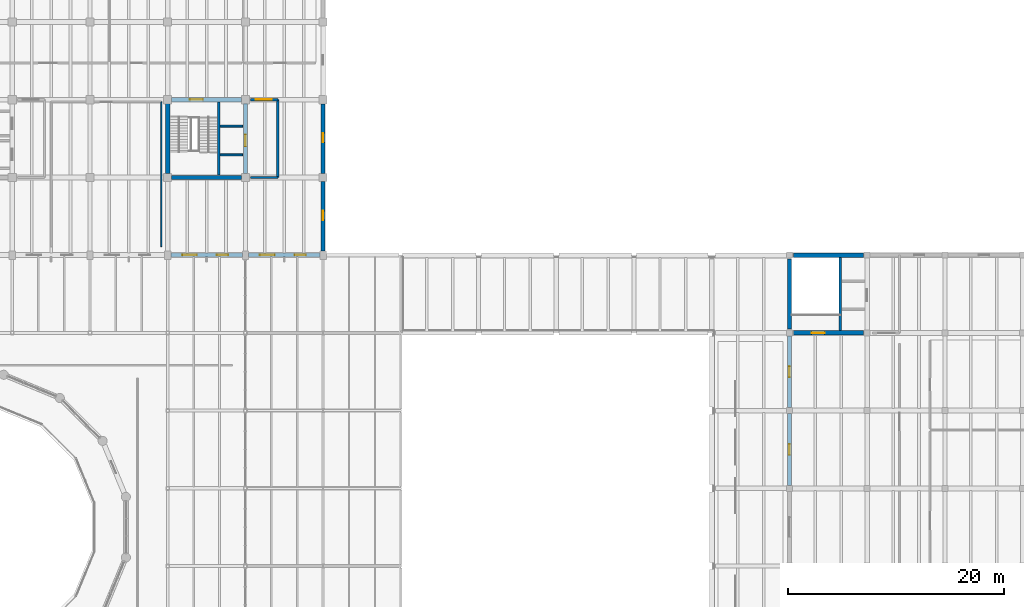
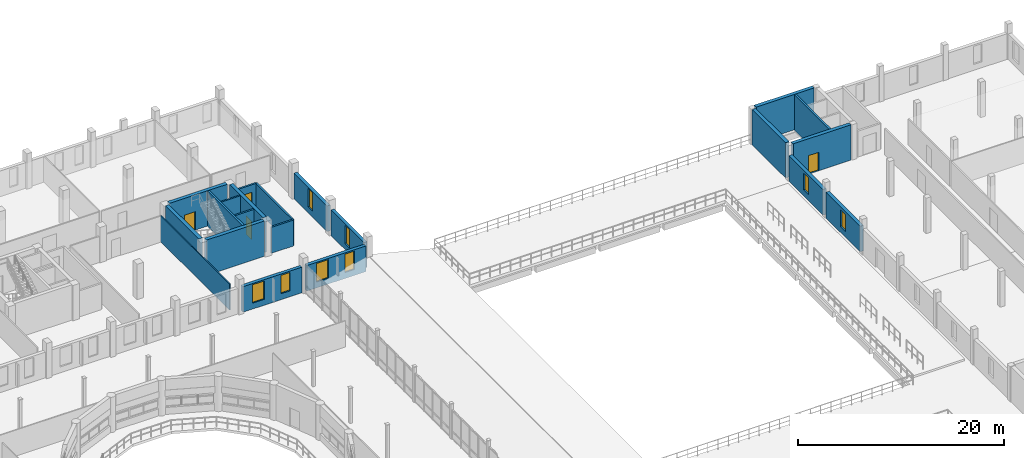
# One storey, part 54 of 63: 21 walls, 8 windows, 4 doors, 12 openings.
"""IFC4 building model written with IfcOpenShell, lengths in metres."""

from ifc_helpers import new_model, si_unit, direction, frame, frame_2d, origin, place, context, subcontext, project, spatial, rectangle, extrude, material, layer, layer_set, type_object, element, fill, save


model = new_model("IFC4")

# Units and contexts
model_context = context("Model", 3, precision=1e-05, world=origin(), true_north=direction((0.0, 1.0)))
body_context = subcontext(model_context, "Body", "Model", "MODEL_VIEW")
ifc_project = project(units=[si_unit("LENGTHUNIT", "METRE"), si_unit("AREAUNIT", "SQUARE_METRE"), si_unit("VOLUMEUNIT", "CUBIC_METRE"), si_unit("PLANEANGLEUNIT", "RADIAN"), si_unit("MASSUNIT", "GRAM", prefix="KILO")], contexts=[model_context])

# Site, building, storey
site_placement = place(None, origin())
site = spatial("IfcSite", under=ifc_project, at=site_placement, CompositionType="ELEMENT")
building_placement = place(site_placement, origin())
building = spatial("IfcBuilding", under=site, at=building_placement, Name="Qiaolan Assembly House", CompositionType="ELEMENT")
storey_placement = place(building_placement, frame((0.0, 0.0, 14.39990234375)))
storey = spatial("IfcBuildingStorey", under=building, at=storey_placement, Name="L03", CompositionType="ELEMENT", Elevation=14.39990234375)

# Wall
ifc_material_1 = material(Name="Concrete C45/55", Category="concrete")
ifc_layer_1 = layer(ifc_material_1, 0.39990234375)
ifc_layer_set_1 = layer_set([ifc_layer_1], Name="Concrete C45/55")
wall_type_1 = type_object("IfcWallType", Name="WAL-CORE-400", PredefinedType="SHEAR", material=ifc_layer_set_1)
wall_1_placement = place(storey_placement, frame((86.75, 93.60009765625, 0.0), z_axis=(0.0, 0.0, 1.0), x_axis=(1.0, 0.0, 0.0)))
element("IfcWall", 1, at=wall_1_placement, inside=storey, type_object=wall_type_1, Name="CW-400 shear core wall CORE-G S L03", PredefinedType="SHEAR", context=body_context, shape_type="SweptSolid", body=[
    extrude(rectangle(XDim=6.5, YDim=0.39990234375, at=frame_2d((3.25, 0.0))), origin(), (0.0, 0.0, 1.0), 4.2001953125),
])

# Wall, opening, door
wall_2_placement = place(storey_placement, frame((93.60009765625, 93.949951171875, 0.0), z_axis=(0.0, 0.0, 1.0), x_axis=(0.0, 1.0, 0.0)))
wall_2 = element("IfcWall", 2, at=wall_2_placement, inside=storey, type_object=wall_type_1, Name="CW-400 shear core wall CORE-G E L03", PredefinedType="SHEAR", context=body_context, shape_type="SweptSolid", body=[
    extrude(rectangle(XDim=6.5, YDim=0.39990234375, at=frame_2d((3.25, 0.0))), origin(), (0.0, 0.0, 1.0), 4.2001953125),
])
opening_1_placement = place(wall_2_placement, frame((2.52490234375, 0.0, 0.0)))
opening_1 = element("IfcOpeningElement", 3, at=opening_1_placement, cuts=wall_2, Name="Opening LD-041", PredefinedType="OPENING", context=body_context, shape_type="SweptSolid", body=[
    extrude(rectangle(XDim=1.10009765625, YDim=2.199951171875, at=frame_2d((0.550048828125, 1.10009765625))), frame((0.0, 0.2099609375, 0.0), z_axis=(0.0, -1.0, 0.0), x_axis=(1.0, 0.0, 0.0)), (0.0, 0.0, 1.0), 0.419921875),
])
ifc_material_2 = material(Name="Anodised bronze aluminium", Category="aluminium")
door_type_1 = type_object("IfcDoorType", Name="DOR-LIFT-LD1100", OperationType="SLIDING_TO_LEFT", PredefinedType="DOOR", material=ifc_material_2)
door_1_placement = place(opening_1_placement, origin())
door_1 = element("IfcDoor", 4, at=door_1_placement, inside=storey, type_object=door_type_1, Name="Lift landing door LD-041 (LF-05 L03)", OperationType="SLIDING_TO_LEFT", OverallHeight=2.199951171875, OverallWidth=1.10009765625, PredefinedType="DOOR", context=body_context, shape_type="SweptSolid", body=[
    extrude(rectangle(XDim=1.10009765625, YDim=2.199951171875, at=frame_2d((0.550048828125, 1.10009765625))), frame((0.0, 0.02490234375, 0.0), z_axis=(0.0, -1.0, 0.0), x_axis=(1.0, 0.0, 0.0)), (0.0, 0.0, 1.0), 0.050048828125),
])
fill(opening_1, door_1)

wall_3_placement = place(storey_placement, frame((93.25, 100.800048828125, 0.0), z_axis=(0.0, 0.0, 1.0), x_axis=(-1.0, 0.0, 0.0)))
wall_3 = element("IfcWall", 5, at=wall_3_placement, inside=storey, type_object=wall_type_1, Name="CW-400 shear core wall CORE-G N L03", PredefinedType="SHEAR", context=body_context, shape_type="SweptSolid", body=[
    extrude(rectangle(XDim=6.5, YDim=0.39990234375, at=frame_2d((3.25, 0.0))), origin(), (0.0, 0.0, 1.0), 4.2001953125),
])
opening_2_placement = place(wall_3_placement, frame((3.60009765625, 0.0, 0.0)))
opening_2 = element("IfcOpeningElement", 6, at=opening_2_placement, cuts=wall_3, Name="Opening FD-061", PredefinedType="OPENING", context=body_context, shape_type="SweptSolid", body=[
    extrude(rectangle(XDim=1.199951171875, YDim=2.199951171875, at=frame_2d((0.60009765625, 1.10009765625))), frame((0.0, 0.2099609375, 0.0), z_axis=(0.0, -1.0, 0.0), x_axis=(1.0, 0.0, 0.0)), (0.0, 0.0, 1.0), 0.419921875),
])
ifc_material_3 = material(Name="Steel Q355B", Category="steel")
door_type_2 = type_object("IfcDoorType", Name="DOR-FIRE-FD90-1200", OperationType="NOTDEFINED", PredefinedType="DOOR", material=ifc_material_3)
door_2_placement = place(opening_2_placement, frame((1.199951171875, 0.0, 0.0), z_axis=(0.0, 0.0, 1.0), x_axis=(-1.0, 0.0, 0.0)))
door_2 = element("IfcDoor", 7, at=door_2_placement, inside=storey, type_object=door_type_2, Name="Stairwell fire door FD-061 (CORE-G L03)", OperationType="SINGLE_SWING_RIGHT", OverallHeight=2.199951171875, OverallWidth=1.199951171875, PredefinedType="DOOR", context=body_context, shape_type="SweptSolid", body=[
    extrude(rectangle(XDim=1.199951171875, YDim=2.199951171875, at=frame_2d((0.60009765625, 1.10009765625))), frame((0.0, 0.02490234375, 0.0), z_axis=(0.0, -1.0, 0.0), x_axis=(1.0, 0.0, 0.0)), (0.0, 0.0, 1.0), 0.050048828125),
])
fill(opening_2, door_2)

# Wall
wall_4_placement = place(storey_placement, frame((86.39990234375, 100.449951171875, 0.0), z_axis=(0.0, 0.0, 1.0), x_axis=(0.0, -1.0, 0.0)))
element("IfcWall", 8, at=wall_4_placement, inside=storey, type_object=wall_type_1, Name="CW-400 shear core wall CORE-G W L03", PredefinedType="SHEAR", context=body_context, shape_type="SweptSolid", body=[
    extrude(rectangle(XDim=6.5, YDim=0.39990234375, at=frame_2d((3.25, 0.0))), origin(), (0.0, 0.0, 1.0), 4.2001953125),
])

# Wall, opening, door
wall_5_placement = place(storey_placement, frame((144.35009765625, 79.199951171875, 0.0), z_axis=(0.0, 0.0, 1.0), x_axis=(1.0, 0.0, 0.0)))
wall_5 = element("IfcWall", 9, at=wall_5_placement, inside=storey, type_object=wall_type_1, Name="CW-400 shear core wall CORE-F S L03", PredefinedType="SHEAR", context=body_context, shape_type="SweptSolid", body=[
    extrude(rectangle(XDim=6.5, YDim=0.39990234375, at=frame_2d((3.25, 0.0))), origin(), (0.0, 0.0, 1.0), 4.2001953125),
])
opening_3_placement = place(wall_5_placement, frame((1.699951171875, 0.0, 0.0)))
opening_3 = element("IfcOpeningElement", 10, at=opening_3_placement, cuts=wall_5, Name="Opening FD-133", PredefinedType="OPENING", context=body_context, shape_type="SweptSolid", body=[
    extrude(rectangle(XDim=1.199951171875, YDim=2.199951171875, at=frame_2d((0.60009765625, 1.10009765625))), frame((0.0, 0.2099609375, 0.0), z_axis=(0.0, -1.0, 0.0), x_axis=(1.0, 0.0, 0.0)), (0.0, 0.0, 1.0), 0.419921875),
])
door_3_placement = place(opening_3_placement, frame((1.199951171875, 0.0, 0.0), z_axis=(0.0, 0.0, 1.0), x_axis=(-1.0, 0.0, 0.0)))
door_3 = element("IfcDoor", 11, at=door_3_placement, inside=storey, type_object=door_type_2, Name="Stairwell fire door FD-133 (CORE-F L03)", OperationType="SINGLE_SWING_RIGHT", OverallHeight=2.199951171875, OverallWidth=1.199951171875, PredefinedType="DOOR", context=body_context, shape_type="SweptSolid", body=[
    extrude(rectangle(XDim=1.199951171875, YDim=2.199951171875, at=frame_2d((0.60009765625, 1.10009765625))), frame((0.0, 0.02490234375, 0.0), z_axis=(0.0, -1.0, 0.0), x_axis=(1.0, 0.0, 0.0)), (0.0, 0.0, 1.0), 0.050048828125),
])
fill(opening_3, door_3)

# Walls
for number, where, z_axis, x_axis, name in (
    (12, (150.85009765625, 86.39990234375, 0.0), (0.0, 0.0, 1.0), (-1.0, 0.0, 0.0), "CW-400 shear core wall CORE-F N L03"),
    (13, (144.0, 86.050048828125, 0.0), (0.0, 0.0, 1.0), (0.0, -1.0, 0.0), "CW-400 shear core wall CORE-F W L03"),
):
    element("IfcWall", number, at=place(storey_placement, frame(where, z_axis=z_axis, x_axis=x_axis)), inside=storey, type_object=wall_type_1, Name=name, PredefinedType="SHEAR", context=body_context, shape_type="SweptSolid", body=[
        extrude(rectangle(XDim=6.5, YDim=0.39990234375, at=frame_2d((3.25, 0.0))), origin(), (0.0, 0.0, 1.0), 4.2001953125),
    ])

# Wall, opening, window
ifc_material_4 = material(Name="Honed pale limestone", Category="masonry")
ifc_layer_2 = layer(ifc_material_4, 0.3798828125)
ifc_layer_set_2 = layer_set([ifc_layer_2], Name="Honed pale limestone")
wall_type_2 = type_object("IfcWallType", Name="WAL-EXT-LIB-380", PredefinedType="SOLIDWALL", material=ifc_layer_set_2)
wall_6_placement = place(storey_placement, frame((144.0, 65.072998046875, 0.0), z_axis=(0.0, 0.0, 1.0), x_axis=(0.0, 1.0, 0.0)))
wall_6 = element("IfcWall", 14, at=wall_6_placement, inside=storey, type_object=wall_type_2, Name="Library West court wall L03-6", PredefinedType="SOLIDWALL", context=body_context, shape_type="SweptSolid", body=[
    extrude(rectangle(XDim=6.654052734375, YDim=0.3798828125, at=frame_2d((3.3271484375, 0.0))), origin(), (0.0, 0.0, 1.0), 3.0400390625),
])
opening_4_placement = place(wall_6_placement, frame((2.826904296875, 0.0, 0.699951171875)))
opening_4 = element("IfcOpeningElement", 15, at=opening_4_placement, cuts=wall_6, Name="Opening WN-501", PredefinedType="OPENING", context=body_context, shape_type="SweptSolid", body=[
    extrude(rectangle(XDim=1.0, YDim=2.0, at=frame_2d((0.5, 1.0))), frame((0.0, 0.199951171875, 0.0), z_axis=(0.0, -1.0, 0.0), x_axis=(1.0, 0.0, 0.0)), (0.0, 0.0, 1.0), 0.39990234375),
])
ifc_material_5 = material(Name="Low-E double insulating glass", Category="glass")
window_type_1 = type_object("IfcWindowType", Name="WIN-LIB-ARCH-1000x2000", PartitioningType="SINGLE_PANEL", PredefinedType="WINDOW", material=ifc_material_5)
window_1_placement = place(opening_4_placement, origin())
window_1 = element("IfcWindow", 16, at=window_1_placement, inside=storey, type_object=window_type_1, Name="Library courtyard window WN-501", OverallHeight=2.0, OverallWidth=1.0, PartitioningType="SINGLE_PANEL", PredefinedType="WINDOW", context=body_context, shape_type="SweptSolid", body=[
    extrude(rectangle(XDim=1.0, YDim=2.0, at=frame_2d((0.5, 1.0))), frame((0.0, 0.030029296875, 0.0), z_axis=(0.0, -1.0, 0.0), x_axis=(1.0, 0.0, 0.0)), (0.0, 0.0, 1.0), 0.06005859375),
])
fill(opening_4, window_1)

wall_7_placement = place(storey_placement, frame((144.0, 72.27294921875, 0.0), z_axis=(0.0, 0.0, 1.0), x_axis=(0.0, 1.0, 0.0)))
wall_7 = element("IfcWall", 17, at=wall_7_placement, inside=storey, type_object=wall_type_2, Name="Library West court wall L03-7", PredefinedType="SOLIDWALL", context=body_context, shape_type="SweptSolid", body=[
    extrude(rectangle(XDim=6.654052734375, YDim=0.3798828125, at=frame_2d((3.3271484375, 0.0))), origin(), (0.0, 0.0, 1.0), 3.0400390625),
])
opening_5_placement = place(wall_7_placement, frame((2.826904296875, 0.0, 0.699951171875)))
opening_5 = element("IfcOpeningElement", 18, at=opening_5_placement, cuts=wall_7, Name="Opening WN-504", PredefinedType="OPENING", context=body_context, shape_type="SweptSolid", body=[
    extrude(rectangle(XDim=1.0, YDim=2.0, at=frame_2d((0.5, 1.0))), frame((0.0, 0.199951171875, 0.0), z_axis=(0.0, -1.0, 0.0), x_axis=(1.0, 0.0, 0.0)), (0.0, 0.0, 1.0), 0.39990234375),
])
window_2_placement = place(opening_5_placement, origin())
window_2 = element("IfcWindow", 19, at=window_2_placement, inside=storey, type_object=window_type_1, Name="Library courtyard window WN-504", OverallHeight=2.0, OverallWidth=1.0, PartitioningType="SINGLE_PANEL", PredefinedType="WINDOW", context=body_context, shape_type="SweptSolid", body=[
    extrude(rectangle(XDim=1.0, YDim=2.0, at=frame_2d((0.5, 1.0))), frame((0.0, 0.030029296875, 0.0), z_axis=(0.0, -1.0, 0.0), x_axis=(1.0, 0.0, 0.0)), (0.0, 0.0, 1.0), 0.06005859375),
])
fill(opening_5, window_2)

# Wall, openings, windows
ifc_layer_3 = layer(ifc_material_4, 0.360107421875)
ifc_layer_set_3 = layer_set([ifc_layer_3], Name="Honed pale limestone")
wall_type_3 = type_object("IfcWallType", Name="WAL-EXT-LIMESTONE-360", PredefinedType="SOLIDWALL", material=ifc_layer_set_3)
wall_8_placement = place(storey_placement, frame((86.68798828125, 86.39990234375, 0.0), z_axis=(0.0, 0.0, 1.0), x_axis=(1.0, 0.0, 0.0)))
wall_8 = element("IfcWall", 20, at=wall_8_placement, inside=storey, type_object=wall_type_3, Name="EW-360 NW South court wall L03 bay 8", PredefinedType="SOLIDWALL", context=body_context, shape_type="SweptSolid", body=[
    extrude(rectangle(XDim=6.6240234375, YDim=0.360107421875, at=frame_2d((3.31201171875, 0.0))), origin(), (0.0, 0.0, 1.0), 3.0400390625),
])
opening_6_placement = place(wall_8_placement, frame((1.06201171875, 0.0, 0.699951171875)))
opening_6 = element("IfcOpeningElement", 21, at=opening_6_placement, cuts=wall_8, Name="Opening WN-100", PredefinedType="OPENING", context=body_context, shape_type="SweptSolid", body=[
    extrude(rectangle(XDim=1.35009765625, YDim=2.18994140625, at=frame_2d((0.675048828125, 1.094970703125))), frame((0.0, 0.18994140625, 0.0), z_axis=(0.0, -1.0, 0.0), x_axis=(1.0, 0.0, 0.0)), (0.0, 0.0, 1.0), 0.380126953125),
])
opening_7_placement = place(wall_8_placement, frame((4.261962890625, 0.0, 0.699951171875)))
opening_7 = element("IfcOpeningElement", 22, at=opening_7_placement, cuts=wall_8, Name="Opening WN-101", PredefinedType="OPENING", context=body_context, shape_type="SweptSolid", body=[
    extrude(rectangle(XDim=1.050048828125, YDim=2.18994140625, at=frame_2d((0.52490234375, 1.094970703125))), frame((0.0, 0.18994140625, 0.0), z_axis=(0.0, -1.0, 0.0), x_axis=(1.0, 0.0, 0.0)), (0.0, 0.0, 1.0), 0.380126953125),
])
window_type_2 = type_object("IfcWindowType", Name="WIN-COURT-1350x2400", PartitioningType="DOUBLE_PANEL_VERTICAL", PredefinedType="WINDOW", material=ifc_material_5)
window_3_placement = place(opening_6_placement, origin())
window_3 = element("IfcWindow", 23, at=window_3_placement, inside=storey, type_object=window_type_2, Name="WN-T04 court window WN-100", OverallHeight=2.18994140625, OverallWidth=1.35009765625, PartitioningType="DOUBLE_PANEL_VERTICAL", PredefinedType="WINDOW", context=body_context, shape_type="SweptSolid", body=[
    extrude(rectangle(XDim=1.35009765625, YDim=2.18994140625, at=frame_2d((0.675048828125, 1.094970703125))), frame((0.0, 0.030029296875, 0.0), z_axis=(0.0, -1.0, 0.0), x_axis=(1.0, 0.0, 0.0)), (0.0, 0.0, 1.0), 0.06005859375),
])
fill(opening_6, window_3)
window_type_3 = type_object("IfcWindowType", Name="WIN-PUNCH-1050x2400", PartitioningType="SINGLE_PANEL", PredefinedType="WINDOW", material=ifc_material_5)
window_4_placement = place(opening_7_placement, origin())
window_4 = element("IfcWindow", 24, at=window_4_placement, inside=storey, type_object=window_type_3, Name="WN-T05 court window WN-101", OverallHeight=2.18994140625, OverallWidth=1.050048828125, PartitioningType="SINGLE_PANEL", PredefinedType="WINDOW", context=body_context, shape_type="SweptSolid", body=[
    extrude(rectangle(XDim=1.050048828125, YDim=2.18994140625, at=frame_2d((0.52490234375, 1.094970703125))), frame((0.0, 0.030029296875, 0.0), z_axis=(0.0, -1.0, 0.0), x_axis=(1.0, 0.0, 0.0)), (0.0, 0.0, 1.0), 0.06005859375),
])
fill(opening_7, window_4)

wall_9_placement = place(storey_placement, frame((93.887939453125, 86.39990234375, 0.0), z_axis=(0.0, 0.0, 1.0), x_axis=(1.0, 0.0, 0.0)))
wall_9 = element("IfcWall", 25, at=wall_9_placement, inside=storey, type_object=wall_type_3, Name="EW-360 NW South court wall L03 bay 9", PredefinedType="SOLIDWALL", context=body_context, shape_type="SweptSolid", body=[
    extrude(rectangle(XDim=6.6240234375, YDim=0.360107421875, at=frame_2d((3.31201171875, 0.0))), origin(), (0.0, 0.0, 1.0), 3.0400390625),
])
opening_8_placement = place(wall_9_placement, frame((1.06201171875, 0.0, 0.699951171875)))
opening_8 = element("IfcOpeningElement", 26, at=opening_8_placement, cuts=wall_9, Name="Opening WN-102", PredefinedType="OPENING", context=body_context, shape_type="SweptSolid", body=[
    extrude(rectangle(XDim=1.35009765625, YDim=2.18994140625, at=frame_2d((0.675048828125, 1.094970703125))), frame((0.0, 0.18994140625, 0.0), z_axis=(0.0, -1.0, 0.0), x_axis=(1.0, 0.0, 0.0)), (0.0, 0.0, 1.0), 0.380126953125),
])
opening_9_placement = place(wall_9_placement, frame((4.261962890625, 0.0, 0.699951171875)))
opening_9 = element("IfcOpeningElement", 27, at=opening_9_placement, cuts=wall_9, Name="Opening WN-103", PredefinedType="OPENING", context=body_context, shape_type="SweptSolid", body=[
    extrude(rectangle(XDim=1.050048828125, YDim=2.18994140625, at=frame_2d((0.52490234375, 1.094970703125))), frame((0.0, 0.18994140625, 0.0), z_axis=(0.0, -1.0, 0.0), x_axis=(1.0, 0.0, 0.0)), (0.0, 0.0, 1.0), 0.380126953125),
])
window_5_placement = place(opening_8_placement, origin())
window_5 = element("IfcWindow", 28, at=window_5_placement, inside=storey, type_object=window_type_2, Name="WN-T04 court window WN-102", OverallHeight=2.18994140625, OverallWidth=1.35009765625, PartitioningType="DOUBLE_PANEL_VERTICAL", PredefinedType="WINDOW", context=body_context, shape_type="SweptSolid", body=[
    extrude(rectangle(XDim=1.35009765625, YDim=2.18994140625, at=frame_2d((0.675048828125, 1.094970703125))), frame((0.0, 0.030029296875, 0.0), z_axis=(0.0, -1.0, 0.0), x_axis=(1.0, 0.0, 0.0)), (0.0, 0.0, 1.0), 0.06005859375),
])
fill(opening_8, window_5)
window_6_placement = place(opening_9_placement, origin())
window_6 = element("IfcWindow", 29, at=window_6_placement, inside=storey, type_object=window_type_3, Name="WN-T05 court window WN-103", OverallHeight=2.18994140625, OverallWidth=1.050048828125, PartitioningType="SINGLE_PANEL", PredefinedType="WINDOW", context=body_context, shape_type="SweptSolid", body=[
    extrude(rectangle(XDim=1.050048828125, YDim=2.18994140625, at=frame_2d((0.52490234375, 1.094970703125))), frame((0.0, 0.030029296875, 0.0), z_axis=(0.0, -1.0, 0.0), x_axis=(1.0, 0.0, 0.0)), (0.0, 0.0, 1.0), 0.06005859375),
])
fill(opening_9, window_6)

# Wall, opening, window
wall_10_placement = place(storey_placement, frame((100.800048828125, 93.22705078125, 0.0), z_axis=(0.0, 0.0, 1.0), x_axis=(0.0, -1.0, 0.0)))
wall_10 = element("IfcWall", 30, at=wall_10_placement, inside=storey, type_object=wall_type_3, Name="NW East wall L03-1", PredefinedType="SOLIDWALL", context=body_context, shape_type="SweptSolid", body=[
    extrude(rectangle(XDim=6.424072265625, YDim=0.360107421875, at=frame_2d((3.2119140625, 0.0))), origin(), (0.0, 0.0, 1.0), 3.0400390625),
])
opening_10_placement = place(wall_10_placement, frame((2.72705078125, 0.0, 0.699951171875)))
opening_10 = element("IfcOpeningElement", 31, at=opening_10_placement, cuts=wall_10, Name="Opening WN-105", PredefinedType="OPENING", context=body_context, shape_type="SweptSolid", body=[
    extrude(rectangle(XDim=0.85009765625, YDim=2.18994140625, at=frame_2d((0.425048828125, 1.094970703125))), frame((0.0, 0.18994140625, 0.0), z_axis=(0.0, -1.0, 0.0), x_axis=(1.0, 0.0, 0.0)), (0.0, 0.0, 1.0), 0.380126953125),
])
window_type_4 = type_object("IfcWindowType", Name="WIN-END-850x2200", PartitioningType="SINGLE_PANEL", PredefinedType="WINDOW", material=ifc_material_5)
window_7_placement = place(opening_10_placement, origin())
window_7 = element("IfcWindow", 32, at=window_7_placement, inside=storey, type_object=window_type_4, Name="NW East window WN-105", OverallHeight=2.18994140625, OverallWidth=0.85009765625, PartitioningType="SINGLE_PANEL", PredefinedType="WINDOW", context=body_context, shape_type="SweptSolid", body=[
    extrude(rectangle(XDim=0.85009765625, YDim=2.18994140625, at=frame_2d((0.425048828125, 1.094970703125))), frame((0.0, 0.030029296875, 0.0), z_axis=(0.0, -1.0, 0.0), x_axis=(1.0, 0.0, 0.0)), (0.0, 0.0, 1.0), 0.06005859375),
])
fill(opening_10, window_7)

wall_11_placement = place(storey_placement, frame((100.800048828125, 100.427001953125, 0.0), z_axis=(0.0, 0.0, 1.0), x_axis=(0.0, -1.0, 0.0)))
wall_11 = element("IfcWall", 33, at=wall_11_placement, inside=storey, type_object=wall_type_3, Name="NW East wall L03-2", PredefinedType="SOLIDWALL", context=body_context, shape_type="SweptSolid", body=[
    extrude(rectangle(XDim=6.4541015625, YDim=0.360107421875, at=frame_2d((3.22705078125, 0.0))), origin(), (0.0, 0.0, 1.0), 3.0400390625),
])
opening_11_placement = place(wall_11_placement, frame((2.72705078125, 0.0, 0.699951171875)))
opening_11 = element("IfcOpeningElement", 34, at=opening_11_placement, cuts=wall_11, Name="Opening WN-107", PredefinedType="OPENING", context=body_context, shape_type="SweptSolid", body=[
    extrude(rectangle(XDim=0.85009765625, YDim=2.18994140625, at=frame_2d((0.425048828125, 1.094970703125))), frame((0.0, 0.18994140625, 0.0), z_axis=(0.0, -1.0, 0.0), x_axis=(1.0, 0.0, 0.0)), (0.0, 0.0, 1.0), 0.380126953125),
])
window_8_placement = place(opening_11_placement, origin())
window_8 = element("IfcWindow", 35, at=window_8_placement, inside=storey, type_object=window_type_4, Name="NW East window WN-107", OverallHeight=2.18994140625, OverallWidth=0.85009765625, PartitioningType="SINGLE_PANEL", PredefinedType="WINDOW", context=body_context, shape_type="SweptSolid", body=[
    extrude(rectangle(XDim=0.85009765625, YDim=2.18994140625, at=frame_2d((0.425048828125, 1.094970703125))), frame((0.0, 0.030029296875, 0.0), z_axis=(0.0, -1.0, 0.0), x_axis=(1.0, 0.0, 0.0)), (0.0, 0.0, 1.0), 0.06005859375),
])
fill(opening_11, window_8)

# Walls
ifc_material_6 = material(Name="Concrete C35/45", Category="concrete")
ifc_layer_4 = layer(ifc_material_6, 0.199951171875)
ifc_layer_set_4 = layer_set([ifc_layer_4], Name="Concrete C35/45")
wall_type_4 = type_object("IfcWallType", Name="WAL-LOBBY-200", PredefinedType="PARTITIONING", material=ifc_layer_set_4)
wall_12_placement = place(storey_placement, frame((96.60009765625, 93.60009765625, 0.0), z_axis=(0.0, 0.0, 1.0), x_axis=(0.0, 1.0, 0.0)))
element("IfcWall", 36, at=wall_12_placement, inside=storey, type_object=wall_type_4, Name="Firefighting lift lobby east wall CORE-G L03", PredefinedType="PARTITIONING", context=body_context, shape_type="SweptSolid", body=[
    extrude(rectangle(XDim=7.199951171875, YDim=0.199951171875, at=frame_2d((3.60009765625, 0.0))), origin(), (0.0, 0.0, 1.0), 3.080078125),
])
wall_13_placement = place(storey_placement, frame((94.080078125, 93.60009765625, 0.0), z_axis=(0.0, 0.0, 1.0), x_axis=(1.0, 0.0, 0.0)))
element("IfcWall", 37, at=wall_13_placement, inside=storey, type_object=wall_type_4, Name="Firefighting lift lobby south wall CORE-G L03", PredefinedType="PARTITIONING", context=body_context, shape_type="SweptSolid", body=[
    extrude(rectangle(XDim=2.52001953125, YDim=0.199951171875, at=frame_2d((1.260009765625, 0.0))), origin(), (0.0, 0.0, 1.0), 3.080078125),
])

# Wall, opening, door
wall_14_placement = place(storey_placement, frame((96.60009765625, 100.800048828125, 0.0), z_axis=(0.0, 0.0, 1.0), x_axis=(-1.0, 0.0, 0.0)))
wall_14 = element("IfcWall", 38, at=wall_14_placement, inside=storey, type_object=wall_type_4, Name="Firefighting lift lobby north wall CORE-G L03", PredefinedType="PARTITIONING", context=body_context, shape_type="SweptSolid", body=[
    extrude(rectangle(XDim=2.52001953125, YDim=0.199951171875, at=frame_2d((1.260009765625, 0.0))), origin(), (0.0, 0.0, 1.0), 3.080078125),
])
opening_12_placement = place(wall_14_placement, frame((0.550048828125, 0.0, 0.0)))
opening_12 = element("IfcOpeningElement", 39, at=opening_12_placement, cuts=wall_14, Name="Opening FD-062", PredefinedType="OPENING", context=body_context, shape_type="SweptSolid", body=[
    extrude(rectangle(XDim=1.5, YDim=2.199951171875, at=frame_2d((0.75, 1.10009765625))), frame((0.0, 0.10986328125, 0.0), z_axis=(0.0, -1.0, 0.0), x_axis=(1.0, 0.0, 0.0)), (0.0, 0.0, 1.0), 0.219970703125),
])
ifc_material_7 = material(Name="Acoustic oak panelling")
door_type_3 = type_object("IfcDoorType", Name="DOR-LOBBY-FD60-1500", OperationType="DOUBLE_DOOR_SINGLE_SWING", PredefinedType="DOOR", material=ifc_material_7)
door_4_placement = place(opening_12_placement, frame((1.5, 0.0, 0.0), z_axis=(0.0, 0.0, 1.0), x_axis=(-1.0, 0.0, 0.0)))
door_4 = element("IfcDoor", 40, at=door_4_placement, inside=storey, type_object=door_type_3, Name="Lobby corridor fire door FD-062", OperationType="DOUBLE_DOOR_SINGLE_SWING", OverallHeight=2.199951171875, OverallWidth=1.5, PredefinedType="DOOR", context=body_context, shape_type="SweptSolid", body=[
    extrude(rectangle(XDim=1.5, YDim=2.199951171875, at=frame_2d((0.75, 1.10009765625))), frame((0.0, 0.02490234375, 0.0), z_axis=(0.0, -1.0, 0.0), x_axis=(1.0, 0.0, 0.0)), (0.0, 0.0, 1.0), 0.050048828125),
])
fill(opening_12, door_4)

# Walls
ifc_material_8 = material(Name="Gypsum plasterboard partition")
ifc_layer_5 = layer(ifc_material_8, 0.1201171875)
ifc_layer_set_5 = layer_set([ifc_layer_5], Name="Gypsum plasterboard partition")
wall_type_5 = type_object("IfcWallType", Name="WAL-PART-120", PredefinedType="PARTITIONING", material=ifc_layer_set_5)
wall_15_placement = place(storey_placement, frame((85.800048828125, 100.60009765625, 0.0), z_axis=(0.0, 0.0, 1.0), x_axis=(0.0, -1.0, 0.0)))
element("IfcWall", 41, at=wall_15_placement, inside=storey, type_object=wall_type_5, Name="Infrastructure Tender Review Room east wall", PredefinedType="PARTITIONING", context=body_context, shape_type="SweptSolid", body=[
    extrude(rectangle(XDim=13.400146484375, YDim=0.1201171875, at=frame_2d((6.7001953125, 0.0))), origin(), (0.0, 0.0, 1.0), 3.080078125),
])
ifc_layer_6 = layer(ifc_material_6, 0.18505859375)
ifc_layer_set_6 = layer_set([ifc_layer_6], Name="Concrete C35/45")
wall_type_6 = type_object("IfcWallType", Name="WAL-SHAFT-200", PredefinedType="PARTITIONING", material=ifc_layer_set_6)
for number, where, z_axis, x_axis, name in (
    (42, (91.25, 95.699951171875, 0.0), (0.0, 0.0, 1.0), (1.0, 0.0, 0.0), "SW-200 lift shaft wall LF-05 L03 DIVS"),
    (43, (91.25, 98.35009765625, 0.0), (0.0, 0.0, 1.0), (1.0, 0.0, 0.0), "SW-200 lift shaft wall LF-05 L03 DIVN"),
):
    element("IfcWall", number, at=place(storey_placement, frame(where, z_axis=z_axis, x_axis=x_axis)), inside=storey, type_object=wall_type_6, Name=name, PredefinedType="PARTITIONING", context=body_context, shape_type="SweptSolid", body=[
        extrude(rectangle(XDim=2.10009765625, YDim=0.18505859375, at=frame_2d((1.050048828125, 0.0))), origin(), (0.0, 0.0, 1.0), 4.2001953125),
    ])
ifc_material_9 = material(Name="Concrete C40/50", Category="concrete")
ifc_layer_7 = layer(ifc_material_9, 0.22509765625)
ifc_layer_set_7 = layer_set([ifc_layer_7], Name="Concrete C40/50")
wall_type_7 = type_object("IfcWallType", Name="WAL-STAIR-DIV-225", PredefinedType="SHEAR", material=ifc_layer_set_7)
for number, where, z_axis, x_axis, name in (
    (44, (91.1201171875, 93.820068359375, 0.0), (0.0, 0.0, 1.0), (0.0, 1.0, 0.0), "SDW-225 stairwell structural spine wall CORE-G L03"),
    (45, (148.719970703125, 79.419921875, 0.0), (0.0, 0.0, 1.0), (0.0, 1.0, 0.0), "SDW-225 stairwell structural spine wall CORE-F L03"),
):
    element("IfcWall", number, at=place(storey_placement, frame(where, z_axis=z_axis, x_axis=x_axis)), inside=storey, type_object=wall_type_7, Name=name, PredefinedType="SHEAR", context=body_context, shape_type="SweptSolid", body=[
        extrude(rectangle(XDim=6.760009765625, YDim=0.22509765625, at=frame_2d((3.3798828125, 0.0))), origin(), (0.0, 0.0, 1.0), 4.2001953125),
    ])

save(model, "model.ifc")
